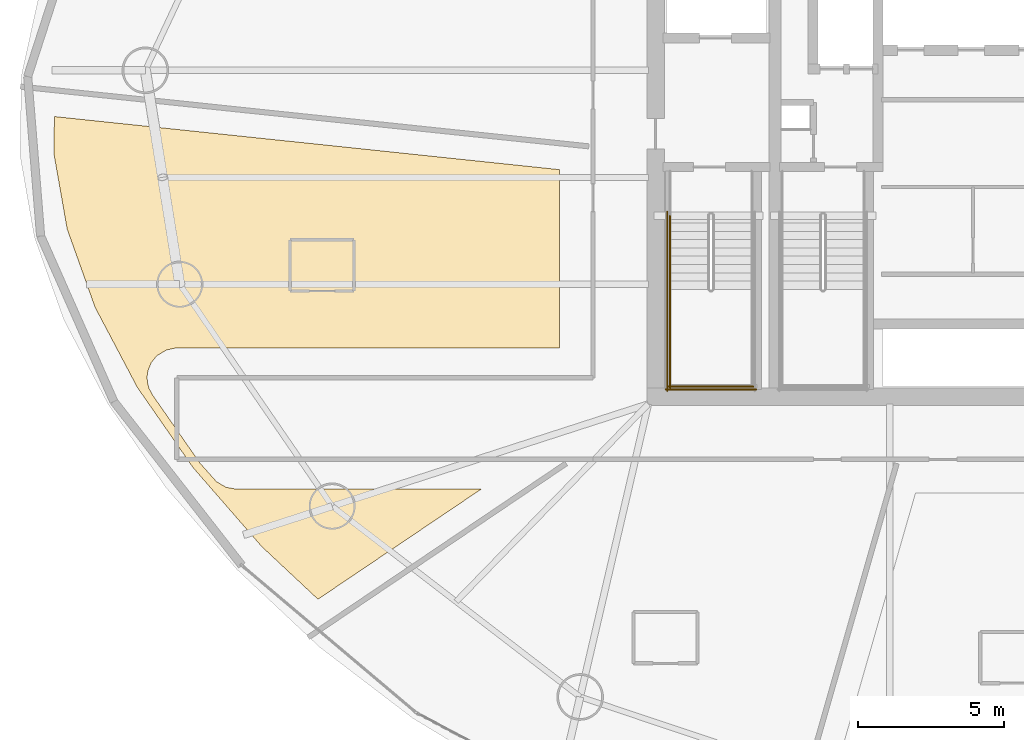
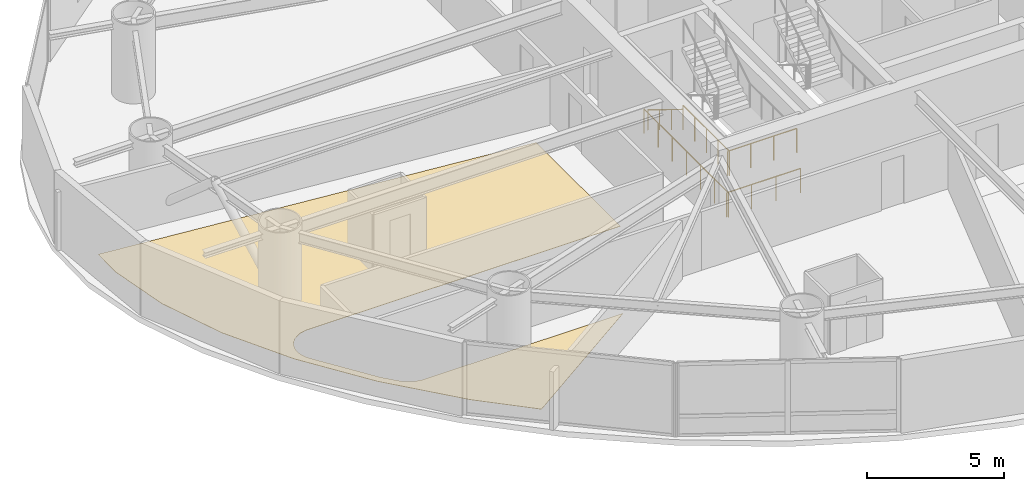
# One storey, part 16 of 19: 5 railings, 1 covering.
"""IFC4 building model written with IfcOpenShell, lengths in metres."""

import ifcopenshell
import ifcopenshell.guid

model = None  # the IFC model being written
_history = None  # IfcOwnerHistory: only IFC2X3 demands one
_inside = {}  # id of a spatial element -> (the spatial element, [elements in it])
_under = {}  # id of a project, library or spatial element -> (it, [spatial elements below it])
_declared = {}  # id of a project -> (the project, [libraries it declares])
_typed = {}  # id of a type object -> (the type object, [elements of that type])
_made_of = {}  # id of a material, layer set ... -> (it, [elements and type objects made of it])


def new_model(schema):
    """Start an empty IFC model of exactly this schema.

    Asked for "IFC4X3", IfcOpenShell would pick the latest addendum, in which some entities
    have other attributes; the version numbers below select the first issue.
    IFC2X3 requires an IfcOwnerHistory on every rooted entity: one is made here for all.
    """
    global model, _history
    if schema == "IFC4X3":
        model = ifcopenshell.file(schema_version=(4, 3, 0, 0))
    else:
        model = ifcopenshell.file(schema=schema)
    _inside.clear()
    _under.clear()
    _declared.clear()
    _typed.clear()
    _made_of.clear()
    _history = None
    if model.schema == "IFC2X3":
        org = make("IfcOrganization", Name="unknown")
        user = make(
            "IfcPersonAndOrganization",
            ThePerson=make("IfcPerson", FamilyName="unknown"),
            TheOrganization=org,
        )
        app = make(
            "IfcApplication",
            ApplicationDeveloper=org,
            Version="unknown",
            ApplicationFullName="unknown",
            ApplicationIdentifier="unknown",
        )
        _history = make(
            "IfcOwnerHistory",
            OwningUser=user,
            OwningApplication=app,
            ChangeAction="ADDED",
            CreationDate=0,
        )
    return model


def make(cls, **values):
    """One entity of the class cls with the attributes given. An attribute that is None is left unset."""
    return model.create_entity(
        cls, **{name: value for name, value in values.items() if value is not None}
    )


def rooted(cls, **values):
    """An entity with a GlobalId (a new one), such as an element, a storey or a relation."""
    return make(cls, GlobalId=ifcopenshell.guid.new(), OwnerHistory=_history, **values)


def si_unit(unit_type, name, prefix=None):
    """IfcSIUnit, for example si_unit("LENGTHUNIT", "METRE", prefix="MILLI")."""
    return make("IfcSIUnit", UnitType=unit_type, Prefix=prefix, Name=name)


def assignment(units):
    """IfcUnitAssignment: the units of a project."""
    return None if units is None else make("IfcUnitAssignment", Units=units)


def point(xyz):
    """IfcCartesianPoint."""
    return None if xyz is None else make("IfcCartesianPoint", Coordinates=xyz)


def direction(xyz):
    """IfcDirection."""
    return None if xyz is None else make("IfcDirection", DirectionRatios=xyz)


def frame(location, z_axis=None, x_axis=None):
    """IfcAxis2Placement3D, a coordinate frame: its origin and axes. An axis left out is left unset."""
    return make(
        "IfcAxis2Placement3D",
        Location=point(location),
        Axis=direction(z_axis),
        RefDirection=direction(x_axis),
    )


def frame_2d(location, x_axis=None):
    """IfcAxis2Placement2D, a coordinate frame in the plane: its origin and x axis."""
    return make(
        "IfcAxis2Placement2D", Location=point(location), RefDirection=direction(x_axis)
    )


def origin():
    """The frame at (0, 0, 0) with its axes left unset."""
    return frame((0.0, 0.0, 0.0))


def origin_2d():
    """The frame at (0, 0) in the plane with its x axis left unset."""
    return frame_2d((0.0, 0.0))


def place(relative_to, where):
    """IfcLocalPlacement: puts the frame where relative to a parent placement (None: the world)."""
    return make(
        "IfcLocalPlacement", PlacementRelTo=relative_to, RelativePlacement=where
    )


def context(
    kind, dimensions, precision=None, world=None, true_north=None, identifier=None
):
    """IfcGeometricRepresentationContext, for example the 3D "Model" context."""
    return make(
        "IfcGeometricRepresentationContext",
        ContextIdentifier=identifier,
        ContextType=kind,
        CoordinateSpaceDimension=dimensions,
        Precision=precision,
        WorldCoordinateSystem=world,
        TrueNorth=true_north,
    )


def subcontext(parent, identifier, kind, view, scale=None):
    """IfcGeometricRepresentationSubContext, for example "Body" below "Model"."""
    return make(
        "IfcGeometricRepresentationSubContext",
        ContextIdentifier=identifier,
        ContextType=kind,
        ParentContext=parent,
        TargetScale=scale,
        TargetView=view,
    )


def project(units=None, contexts=None):
    """IfcProject with its units and contexts."""
    return rooted(
        "IfcProject",
        Name="project",
        RepresentationContexts=contexts,
        UnitsInContext=assignment(units),
    )


def spatial(cls, under=None, at=None, **own):
    """A site, building, storey or space (cls), placed at a placement, below another one or the project."""
    s = rooted(cls, ObjectPlacement=at, **own)
    if under is not None:
        _under.setdefault(under.id(), (under, []))[1].append(s)
    return s


def polyline(points):
    """IfcPolyline through the points."""
    return make("IfcPolyline", Points=[point(p) for p in points])


def profile(cls, at=None, kind="AREA", **sizes):
    """A parametric profile (cls). Its sizes go by their IFC names, for example OverallWidth=200.0."""
    return make(cls, ProfileType=kind, Position=at, **sizes)


def circle(**sizes):
    """IfcCircleProfileDef."""
    return profile("IfcCircleProfileDef", **sizes)


def outline(outer, holes=None, kind="AREA"):
    """IfcArbitraryClosedProfileDef: a profile drawn as a closed curve; with holes, ...WithVoids."""
    if holes is None:
        return make("IfcArbitraryClosedProfileDef", ProfileType=kind, OuterCurve=outer)
    return make(
        "IfcArbitraryProfileDefWithVoids",
        ProfileType=kind,
        OuterCurve=outer,
        InnerCurves=holes,
    )


def extrude(swept, where, along, depth):
    """IfcExtrudedAreaSolid: the profile swept, set in the frame where, extruded along a direction by depth."""
    return make(
        "IfcExtrudedAreaSolid",
        SweptArea=swept,
        Position=where,
        ExtrudedDirection=direction(along),
        Depth=depth,
    )


def shape(context_of_items, identifier, shape_type, items):
    """IfcShapeRepresentation: the items that make up one representation, for example the "Body"."""
    return make(
        "IfcShapeRepresentation",
        ContextOfItems=context_of_items,
        RepresentationIdentifier=identifier,
        RepresentationType=shape_type,
        Items=items,
    )


def material(Name=None, Category=None):
    """IfcMaterial."""
    return make("IfcMaterial", Name=Name, Category=Category)


def layer(
    of_material, thickness, ventilated=None, Name=None, Category=None, Priority=None
):
    """IfcMaterialLayer: one layer of a wall or slab, of a material (None: an air gap)."""
    return make(
        "IfcMaterialLayer",
        Material=of_material,
        LayerThickness=thickness,
        IsVentilated=ventilated,
        Name=Name,
        Category=Category,
        Priority=Priority,
    )


def layer_set(layers, Name=None):
    """IfcMaterialLayerSet."""
    return make("IfcMaterialLayerSet", MaterialLayers=layers, LayerSetName=Name)


def made_of(thing, what):
    """Note that an element or type object is made of a material, layer set ...; save() writes the relation."""
    if what is not None:
        _made_of.setdefault(what.id(), (what, []))[1].append(thing)
    return thing


def type_object(cls, material=None, **own):
    """A type object (cls), such as IfcWallType, which elements share."""
    return made_of(rooted(cls, **own), material)


def element(
    cls,
    number,
    at=None,
    inside=None,
    cuts=None,
    type_object=None,
    material=None,
    context=None,
    identifier="Body",
    shape_type=None,
    held_by="IfcProductDefinitionShape",
    body=None,
    shapes=None,
    **own,
):
    """One element of the class cls, such as IfcWall. Its Tag is "e" and its number.

    at: its placement. inside: the storey or other place that contains it. cuts: it is an
    opening in that element (IfcRelVoidsElement). A single representation is given by context,
    identifier, shape_type and body (its items); several are given by shapes. held_by: the class
    of the entity that holds the representations. save() writes the other relations.
    """
    e = rooted(cls, Tag="e%d" % number, ObjectPlacement=at, **own)
    if body is not None:
        shapes = [shape(context, identifier, shape_type, body)]
    if shapes is not None:
        e.Representation = make(held_by, Representations=shapes)
    if inside is not None:
        _inside.setdefault(inside.id(), (inside, []))[1].append(e)
    if cuts is not None:
        rooted(
            "IfcRelVoidsElement", RelatingBuildingElement=cuts, RelatedOpeningElement=e
        )
    if type_object is not None:
        _typed.setdefault(type_object.id(), (type_object, []))[1].append(e)
    return made_of(e, material)


def aggregate(whole, parts):
    """IfcRelAggregates: a whole, such as a stair, and the parts it consists of."""
    return rooted("IfcRelAggregates", RelatingObject=whole, RelatedObjects=parts)


def save(model, path):
    """Write the relations noted so far, then the file.

    IfcRelAggregates (storeys below a building ...), IfcRelContainedInSpatialStructure (elements
    in a storey), IfcRelDefinesByType, IfcRelAssociatesMaterial and IfcRelDeclares: one each for
    every whole, place, type object, material and project.
    """
    for whole, parts in _under.values():
        aggregate(whole, parts)
    for where, things in _inside.values():
        rooted(
            "IfcRelContainedInSpatialStructure",
            RelatedElements=things,
            RelatingStructure=where,
        )
    for kind, things in _typed.values():
        rooted("IfcRelDefinesByType", RelatedObjects=things, RelatingType=kind)
    for what, things in _made_of.values():
        rooted("IfcRelAssociatesMaterial", RelatedObjects=things, RelatingMaterial=what)
    for by, libraries in _declared.values():
        rooted("IfcRelDeclares", RelatingContext=by, RelatedDefinitions=libraries)
    model.write(path)


model = new_model("IFC4")

# Units and contexts
model_context = context("Model", 3, precision=1e-05, world=origin(), true_north=direction((0.0, 1.0)))
body_context = subcontext(model_context, "Body", "Model", "MODEL_VIEW")
ifc_project = project(units=[si_unit("LENGTHUNIT", "METRE"), si_unit("AREAUNIT", "SQUARE_METRE"), si_unit("VOLUMEUNIT", "CUBIC_METRE"), si_unit("PLANEANGLEUNIT", "RADIAN"), si_unit("MASSUNIT", "GRAM", prefix="KILO")], contexts=[model_context])

# Site, building, storey
site_placement = place(None, origin())
site = spatial("IfcSite", under=ifc_project, at=site_placement, CompositionType="ELEMENT")
building_placement = place(site_placement, origin())
building = spatial("IfcBuilding", under=site, at=building_placement, Name="Bramvorn Convention Spire", CompositionType="ELEMENT")
storey_placement = place(building_placement, frame((0.0, 0.0, 62.39990234375)))
storey = spatial("IfcBuildingStorey", under=building, at=storey_placement, Name="L13", CompositionType="ELEMENT", Elevation=62.39990234375)

# Covering
ifc_material_1 = material(Name="Solution-Dyed Wool Broadloom Hospitality Carpet", Category="textile")
ifc_layer = layer(ifc_material_1, 0.014892578125)
ifc_layer_set = layer_set([ifc_layer], Name="Solution-Dyed Wool Broadloom Hospitality Carpet - FLR-CARPET-15")
covering_type = type_object("IfcCoveringType", Name="FLR-CARPET-15", PredefinedType="FLOORING", material=ifc_layer_set)
covering_placement = place(storey_placement, origin())
element("IfcCovering", 1, at=covering_placement, inside=storey, type_object=covering_type, Name="Hotel Suite 1305 wool broadloom carpet", PredefinedType="FLOORING", context=body_context, shape_type="SweptSolid", body=[
    extrude(outline(polyline([(13.4755859375, 13.656494140625), (15.407470703125, 11.8466796875), (21.016357421875, 15.6298828125), (12.59521484375, 15.6298828125), (12.2568359375, 15.68798828125), (11.924072265625, 15.882080078125), (11.349609375, 16.530029296875), (9.721923828125, 18.867919921875), (9.607177734375, 19.085205078125), (9.553955078125, 19.27978515625), (9.5400390625, 19.48095703125), (9.56884765625, 19.6923828125), (9.68310546875, 19.9716796875), (9.874267578125, 20.205322265625), (10.20751953125, 20.4072265625), (10.503173828125, 20.46826171875), (23.699951171875, 20.469970703125), (23.699951171875, 26.597900390625), (6.3583984375, 28.420654296875), (6.337890625, 27.1591796875), (6.797607421875, 24.552734375), (7.7568359375, 21.865234375), (9.205810546875, 19.11962890625), (11.122802734375, 16.36181640625), (13.4755859375, 13.656494140625)])), origin(), (0.0, 0.0, 1.0), 0.01513671875),
])

# Railings
ifc_material_2 = material(Name="Painted Steel Balustrade & Guardrail", Category="steel")
railing_type_1 = type_object("IfcRailingType", Name="RL-STAIR-GUARD-1100", PredefinedType="GUARDRAIL", material=ifc_material_2)
railing_1_placement = place(storey_placement, frame((27.5, 22.485107421875, 1.75)))
element("IfcRailing", 2, at=railing_1_placement, inside=storey, type_object=railing_type_1, Name="L13 ST1 stair guard 3", PredefinedType="GUARDRAIL", context=body_context, shape_type="SweptSolid", body=[
    extrude(circle(Radius=0.02392578125, at=origin_2d()), frame((0.0, 0.0, 1.076171875), z_axis=(0.0, -1.0, 0.0), x_axis=(1.0, 0.0, 0.0)), (0.0, 0.0, 1.0), 3.385009765625),
    extrude(circle(Radius=0.02099609375, at=origin_2d()), origin(), (0.0, 0.0, 1.0), 1.052001953125),
    extrude(circle(Radius=0.02099609375, at=origin_2d()), frame((0.0, -0.84619140625, 0.0)), (0.0, 0.0, 1.0), 1.052001953125),
    extrude(circle(Radius=0.02099609375, at=origin_2d()), frame((0.0, -1.6923828125, 0.0)), (0.0, 0.0, 1.0), 1.052001953125),
    extrude(circle(Radius=0.02099609375, at=origin_2d()), frame((0.0, -2.538818359375, 0.0)), (0.0, 0.0, 1.0), 1.052001953125),
    extrude(circle(Radius=0.02099609375, at=origin_2d()), frame((0.0, -3.385009765625, 0.0)), (0.0, 0.0, 1.0), 1.052001953125),
])
railing_2_placement = place(storey_placement, frame((27.449951171875, 19.14990234375, 1.75)))
element("IfcRailing", 3, at=railing_2_placement, inside=storey, type_object=railing_type_1, Name="L13 ST1 stair guard 5", PredefinedType="GUARDRAIL", context=body_context, shape_type="SweptSolid", body=[
    extrude(circle(Radius=0.02392578125, at=origin_2d()), frame((0.0, 0.0, 1.076171875), z_axis=(1.0, 0.0, 0.0), x_axis=(0.0, 1.0, 0.0)), (0.0, 0.0, 1.0), 2.900146484375),
    extrude(circle(Radius=0.02099609375, at=origin_2d()), origin(), (0.0, 0.0, 1.0), 1.052001953125),
    extrude(circle(Radius=0.02099609375, at=origin_2d()), frame((0.966796875, 0.0, 0.0)), (0.0, 0.0, 1.0), 1.052001953125),
    extrude(circle(Radius=0.02099609375, at=origin_2d()), frame((1.933349609375, 0.0, 0.0)), (0.0, 0.0, 1.0), 1.052001953125),
    extrude(circle(Radius=0.02099609375, at=origin_2d()), frame((2.900146484375, 0.0, 0.0)), (0.0, 0.0, 1.0), 1.052001953125),
])
railing_3_placement = place(storey_placement, frame((27.39990234375, 25.14990234375, 0.0)))
element("IfcRailing", 4, at=railing_3_placement, inside=storey, type_object=railing_type_1, Name="L13 ST1 stair guard 10", PredefinedType="GUARDRAIL", context=body_context, shape_type="SweptSolid", body=[
    extrude(circle(Radius=0.02392578125, at=origin_2d()), frame((0.0, 0.0, 1.076171875), z_axis=(0.0, -1.0, 0.0), x_axis=(1.0, 0.0, 0.0)), (0.0, 0.0, 1.0), 6.14990234375),
    extrude(circle(Radius=0.02099609375, at=origin_2d()), origin(), (0.0, 0.0, 1.0), 1.052001953125),
    extrude(circle(Radius=0.02099609375, at=origin_2d()), frame((0.0, -1.02490234375, 0.0)), (0.0, 0.0, 1.0), 1.052001953125),
    extrude(circle(Radius=0.02099609375, at=origin_2d()), frame((0.0, -2.050048828125, 0.0)), (0.0, 0.0, 1.0), 1.052001953125),
    extrude(circle(Radius=0.02099609375, at=origin_2d()), frame((0.0, -3.074951171875, 0.0)), (0.0, 0.0, 1.0), 1.052001953125),
    extrude(circle(Radius=0.02099609375, at=origin_2d()), frame((0.0, -4.099853515625, 0.0)), (0.0, 0.0, 1.0), 1.052001953125),
    extrude(circle(Radius=0.02099609375, at=origin_2d()), frame((0.0, -5.125, 0.0)), (0.0, 0.0, 1.0), 1.052001953125),
    extrude(circle(Radius=0.02099609375, at=origin_2d()), frame((0.0, -6.14990234375, 0.0)), (0.0, 0.0, 1.0), 1.052001953125),
])
railing_4_placement = place(storey_placement, frame((27.35009765625, 19.050048828125, 0.0)))
element("IfcRailing", 5, at=railing_4_placement, inside=storey, type_object=railing_type_1, Name="L13 ST1 stair guard 12", PredefinedType="GUARDRAIL", context=body_context, shape_type="SweptSolid", body=[
    extrude(circle(Radius=0.02392578125, at=origin_2d()), frame((0.0, 0.0, 1.076171875), z_axis=(1.0, 0.0, 0.0), x_axis=(0.0, 1.0, 0.0)), (0.0, 0.0, 1.0), 3.099853515625),
    extrude(circle(Radius=0.02099609375, at=origin_2d()), origin(), (0.0, 0.0, 1.0), 1.052001953125),
    extrude(circle(Radius=0.02099609375, at=origin_2d()), frame((1.033203125, 0.0, 0.0)), (0.0, 0.0, 1.0), 1.052001953125),
    extrude(circle(Radius=0.02099609375, at=origin_2d()), frame((2.066650390625, 0.0, 0.0)), (0.0, 0.0, 1.0), 1.052001953125),
    extrude(circle(Radius=0.02099609375, at=origin_2d()), frame((3.099853515625, 0.0, 0.0)), (0.0, 0.0, 1.0), 1.052001953125),
])
ifc_material_3 = material(Name="Brushed Bronze Tubular Handrail", Category="aluminium")
railing_type_2 = type_object("IfcRailingType", Name="RL-STAIR-HR-920", PredefinedType="HANDRAIL", material=ifc_material_3)
railing_5_placement = place(storey_placement, frame((27.5, 25.050048828125, 0.175048828125)))
element("IfcRailing", 6, at=railing_5_placement, inside=storey, type_object=railing_type_2, Name="L13 ST1 stair handrail 1", PredefinedType="HANDRAIL", context=body_context, shape_type="SweptSolid", body=[
    extrude(circle(Radius=0.02392578125, at=origin_2d()), frame((0.0, 0.0, 0.89599609375), z_axis=(0.0, -0.852173129349, 0.523259933127), x_axis=(1.0, 0.0, 0.0)), (0.0, 0.0, 1.0), 3.009765625),
    extrude(circle(Radius=0.02099609375, at=origin_2d()), origin(), (0.0, 0.0, 1.0), 0.871826171875),
    extrude(circle(Radius=0.02099609375, at=origin_2d()), frame((0.0, -0.85498046875, 0.52490234375)), (0.0, 0.0, 1.0), 0.871826171875),
    extrude(circle(Radius=0.02099609375, at=origin_2d()), frame((0.0, -1.7099609375, 1.050048828125)), (0.0, 0.0, 1.0), 0.871826171875),
    extrude(circle(Radius=0.02099609375, at=origin_2d()), frame((0.0, -2.56494140625, 1.574951171875)), (0.0, 0.0, 1.0), 0.871826171875),
])

save(model, "model.ifc")
